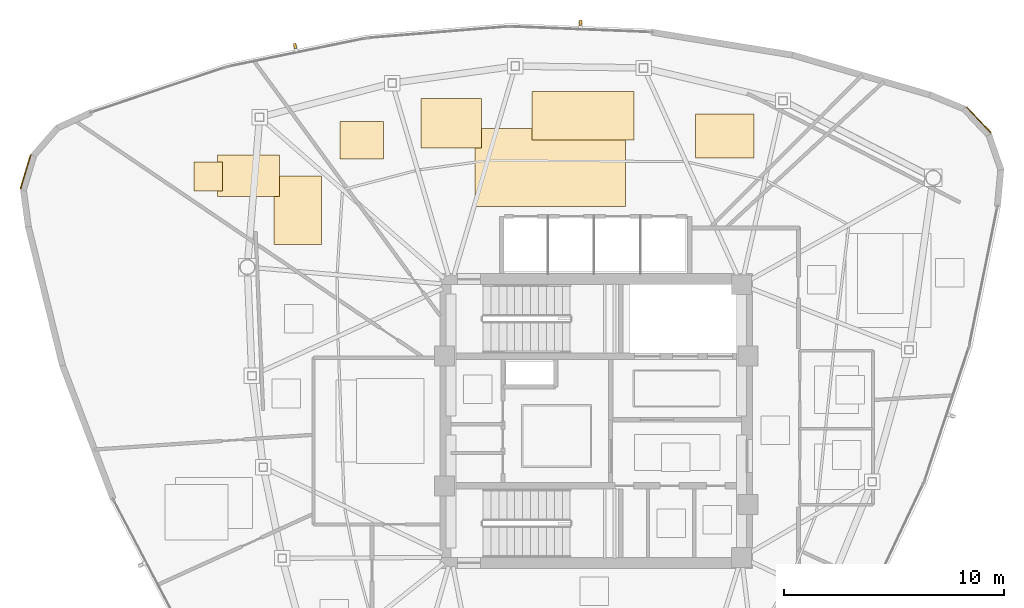
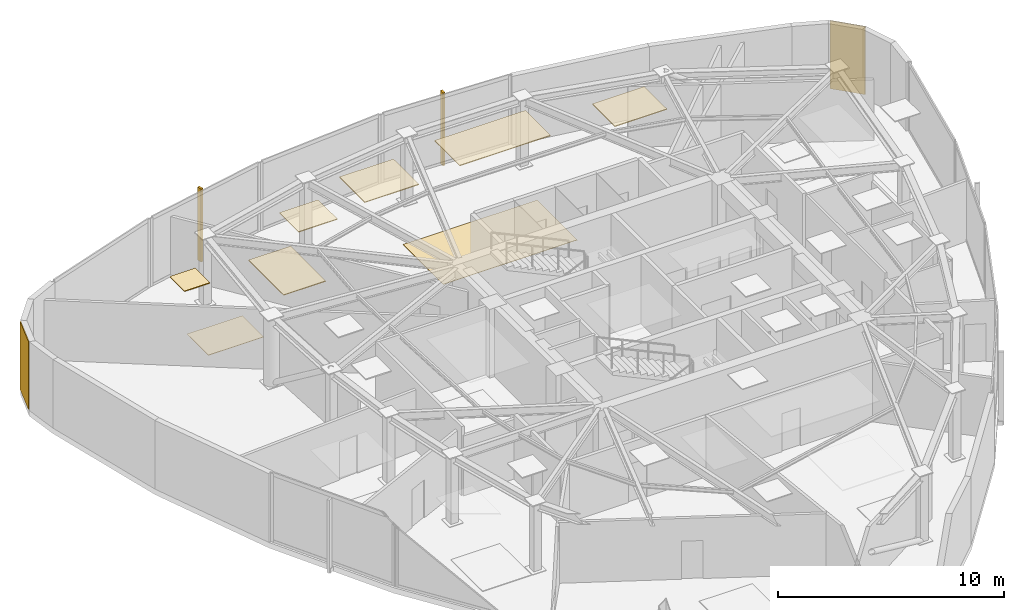
# One storey, part 13 of 13: 10 coverings, 2 shading devices.
"""IFC4 building model written with IfcOpenShell, lengths in metres."""

import ifcopenshell
import ifcopenshell.guid

model = None  # the IFC model being written
_history = None  # IfcOwnerHistory: only IFC2X3 demands one
_inside = {}  # id of a spatial element -> (the spatial element, [elements in it])
_under = {}  # id of a project, library or spatial element -> (it, [spatial elements below it])
_declared = {}  # id of a project -> (the project, [libraries it declares])
_typed = {}  # id of a type object -> (the type object, [elements of that type])
_made_of = {}  # id of a material, layer set ... -> (it, [elements and type objects made of it])


def new_model(schema):
    """Start an empty IFC model of exactly this schema.

    Asked for "IFC4X3", IfcOpenShell would pick the latest addendum, in which some entities
    have other attributes; the version numbers below select the first issue.
    IFC2X3 requires an IfcOwnerHistory on every rooted entity: one is made here for all.
    """
    global model, _history
    if schema == "IFC4X3":
        model = ifcopenshell.file(schema_version=(4, 3, 0, 0))
    else:
        model = ifcopenshell.file(schema=schema)
    _inside.clear()
    _under.clear()
    _declared.clear()
    _typed.clear()
    _made_of.clear()
    _history = None
    if model.schema == "IFC2X3":
        org = make("IfcOrganization", Name="unknown")
        user = make(
            "IfcPersonAndOrganization",
            ThePerson=make("IfcPerson", FamilyName="unknown"),
            TheOrganization=org,
        )
        app = make(
            "IfcApplication",
            ApplicationDeveloper=org,
            Version="unknown",
            ApplicationFullName="unknown",
            ApplicationIdentifier="unknown",
        )
        _history = make(
            "IfcOwnerHistory",
            OwningUser=user,
            OwningApplication=app,
            ChangeAction="ADDED",
            CreationDate=0,
        )
    return model


def make(cls, **values):
    """One entity of the class cls with the attributes given. An attribute that is None is left unset."""
    return model.create_entity(
        cls, **{name: value for name, value in values.items() if value is not None}
    )


def rooted(cls, **values):
    """An entity with a GlobalId (a new one), such as an element, a storey or a relation."""
    return make(cls, GlobalId=ifcopenshell.guid.new(), OwnerHistory=_history, **values)


def si_unit(unit_type, name, prefix=None):
    """IfcSIUnit, for example si_unit("LENGTHUNIT", "METRE", prefix="MILLI")."""
    return make("IfcSIUnit", UnitType=unit_type, Prefix=prefix, Name=name)


def assignment(units):
    """IfcUnitAssignment: the units of a project."""
    return None if units is None else make("IfcUnitAssignment", Units=units)


def point(xyz):
    """IfcCartesianPoint."""
    return None if xyz is None else make("IfcCartesianPoint", Coordinates=xyz)


def direction(xyz):
    """IfcDirection."""
    return None if xyz is None else make("IfcDirection", DirectionRatios=xyz)


def frame(location, z_axis=None, x_axis=None):
    """IfcAxis2Placement3D, a coordinate frame: its origin and axes. An axis left out is left unset."""
    return make(
        "IfcAxis2Placement3D",
        Location=point(location),
        Axis=direction(z_axis),
        RefDirection=direction(x_axis),
    )


def frame_2d(location, x_axis=None):
    """IfcAxis2Placement2D, a coordinate frame in the plane: its origin and x axis."""
    return make(
        "IfcAxis2Placement2D", Location=point(location), RefDirection=direction(x_axis)
    )


def origin():
    """The frame at (0, 0, 0) with its axes left unset."""
    return frame((0.0, 0.0, 0.0))


def origin_2d():
    """The frame at (0, 0) in the plane with its x axis left unset."""
    return frame_2d((0.0, 0.0))


def place(relative_to, where):
    """IfcLocalPlacement: puts the frame where relative to a parent placement (None: the world)."""
    return make(
        "IfcLocalPlacement", PlacementRelTo=relative_to, RelativePlacement=where
    )


def context(
    kind, dimensions, precision=None, world=None, true_north=None, identifier=None
):
    """IfcGeometricRepresentationContext, for example the 3D "Model" context."""
    return make(
        "IfcGeometricRepresentationContext",
        ContextIdentifier=identifier,
        ContextType=kind,
        CoordinateSpaceDimension=dimensions,
        Precision=precision,
        WorldCoordinateSystem=world,
        TrueNorth=true_north,
    )


def subcontext(parent, identifier, kind, view, scale=None):
    """IfcGeometricRepresentationSubContext, for example "Body" below "Model"."""
    return make(
        "IfcGeometricRepresentationSubContext",
        ContextIdentifier=identifier,
        ContextType=kind,
        ParentContext=parent,
        TargetScale=scale,
        TargetView=view,
    )


def project(units=None, contexts=None):
    """IfcProject with its units and contexts."""
    return rooted(
        "IfcProject",
        Name="project",
        RepresentationContexts=contexts,
        UnitsInContext=assignment(units),
    )


def spatial(cls, under=None, at=None, **own):
    """A site, building, storey or space (cls), placed at a placement, below another one or the project."""
    s = rooted(cls, ObjectPlacement=at, **own)
    if under is not None:
        _under.setdefault(under.id(), (under, []))[1].append(s)
    return s


def polyline(points):
    """IfcPolyline through the points."""
    return make("IfcPolyline", Points=[point(p) for p in points])


def profile(cls, at=None, kind="AREA", **sizes):
    """A parametric profile (cls). Its sizes go by their IFC names, for example OverallWidth=200.0."""
    return make(cls, ProfileType=kind, Position=at, **sizes)


def rectangle(**sizes):
    """IfcRectangleProfileDef."""
    return profile("IfcRectangleProfileDef", **sizes)


def outline(outer, holes=None, kind="AREA"):
    """IfcArbitraryClosedProfileDef: a profile drawn as a closed curve; with holes, ...WithVoids."""
    if holes is None:
        return make("IfcArbitraryClosedProfileDef", ProfileType=kind, OuterCurve=outer)
    return make(
        "IfcArbitraryProfileDefWithVoids",
        ProfileType=kind,
        OuterCurve=outer,
        InnerCurves=holes,
    )


def extrude(swept, where, along, depth):
    """IfcExtrudedAreaSolid: the profile swept, set in the frame where, extruded along a direction by depth."""
    return make(
        "IfcExtrudedAreaSolid",
        SweptArea=swept,
        Position=where,
        ExtrudedDirection=direction(along),
        Depth=depth,
    )


def shape(context_of_items, identifier, shape_type, items):
    """IfcShapeRepresentation: the items that make up one representation, for example the "Body"."""
    return make(
        "IfcShapeRepresentation",
        ContextOfItems=context_of_items,
        RepresentationIdentifier=identifier,
        RepresentationType=shape_type,
        Items=items,
    )


def source(mapping_origin, context_of_items, identifier, shape_type, items):
    """IfcRepresentationMap: a shape defined once, which mapped items show again and again."""
    return make(
        "IfcRepresentationMap",
        MappingOrigin=mapping_origin,
        MappedRepresentation=shape(context_of_items, identifier, shape_type, items),
    )


def transform(
    local_origin,
    x_axis=None,
    y_axis=None,
    z_axis=None,
    scale=None,
    scale2=None,
    scale3=None,
    uniform=True,
):
    """IfcCartesianTransformationOperator3D, or its non-uniform kind. x_axis, y_axis, z_axis: its Axis1, 2, 3."""
    if uniform:
        return make(
            "IfcCartesianTransformationOperator3D",
            Axis1=direction(x_axis),
            Axis2=direction(y_axis),
            LocalOrigin=point(local_origin),
            Scale=scale,
            Axis3=direction(z_axis),
        )
    return make(
        "IfcCartesianTransformationOperator3DnonUniform",
        Axis1=direction(x_axis),
        Axis2=direction(y_axis),
        LocalOrigin=point(local_origin),
        Scale=scale,
        Axis3=direction(z_axis),
        Scale2=scale2,
        Scale3=scale3,
    )


def mapped(mapping_source, mapping_target):
    """IfcMappedItem: shows the shape of a source again, moved by a transform."""
    return make(
        "IfcMappedItem", MappingSource=mapping_source, MappingTarget=mapping_target
    )


def material(Name=None, Category=None):
    """IfcMaterial."""
    return make("IfcMaterial", Name=Name, Category=Category)


def layer(
    of_material, thickness, ventilated=None, Name=None, Category=None, Priority=None
):
    """IfcMaterialLayer: one layer of a wall or slab, of a material (None: an air gap)."""
    return make(
        "IfcMaterialLayer",
        Material=of_material,
        LayerThickness=thickness,
        IsVentilated=ventilated,
        Name=Name,
        Category=Category,
        Priority=Priority,
    )


def layer_set(layers, Name=None):
    """IfcMaterialLayerSet."""
    return make("IfcMaterialLayerSet", MaterialLayers=layers, LayerSetName=Name)


def made_of(thing, what):
    """Note that an element or type object is made of a material, layer set ...; save() writes the relation."""
    if what is not None:
        _made_of.setdefault(what.id(), (what, []))[1].append(thing)
    return thing


def type_object(cls, material=None, **own):
    """A type object (cls), such as IfcWallType, which elements share."""
    return made_of(rooted(cls, **own), material)


def type_shapes(of_type, sources):
    """Give a type object the sources (RepresentationMaps) that its elements show as mapped items."""
    of_type.RepresentationMaps = sources


def element(
    cls,
    number,
    at=None,
    inside=None,
    cuts=None,
    type_object=None,
    material=None,
    context=None,
    identifier="Body",
    shape_type=None,
    held_by="IfcProductDefinitionShape",
    body=None,
    shapes=None,
    **own,
):
    """One element of the class cls, such as IfcWall. Its Tag is "e" and its number.

    at: its placement. inside: the storey or other place that contains it. cuts: it is an
    opening in that element (IfcRelVoidsElement). A single representation is given by context,
    identifier, shape_type and body (its items); several are given by shapes. held_by: the class
    of the entity that holds the representations. save() writes the other relations.
    """
    e = rooted(cls, Tag="e%d" % number, ObjectPlacement=at, **own)
    if body is not None:
        shapes = [shape(context, identifier, shape_type, body)]
    if shapes is not None:
        e.Representation = make(held_by, Representations=shapes)
    if inside is not None:
        _inside.setdefault(inside.id(), (inside, []))[1].append(e)
    if cuts is not None:
        rooted(
            "IfcRelVoidsElement", RelatingBuildingElement=cuts, RelatedOpeningElement=e
        )
    if type_object is not None:
        _typed.setdefault(type_object.id(), (type_object, []))[1].append(e)
    return made_of(e, material)


def aggregate(whole, parts):
    """IfcRelAggregates: a whole, such as a stair, and the parts it consists of."""
    return rooted("IfcRelAggregates", RelatingObject=whole, RelatedObjects=parts)


def save(model, path):
    """Write the relations noted so far, then the file.

    IfcRelAggregates (storeys below a building ...), IfcRelContainedInSpatialStructure (elements
    in a storey), IfcRelDefinesByType, IfcRelAssociatesMaterial and IfcRelDeclares: one each for
    every whole, place, type object, material and project.
    """
    for whole, parts in _under.values():
        aggregate(whole, parts)
    for where, things in _inside.values():
        rooted(
            "IfcRelContainedInSpatialStructure",
            RelatedElements=things,
            RelatingStructure=where,
        )
    for kind, things in _typed.values():
        rooted("IfcRelDefinesByType", RelatedObjects=things, RelatingType=kind)
    for what, things in _made_of.values():
        rooted("IfcRelAssociatesMaterial", RelatedObjects=things, RelatingMaterial=what)
    for by, libraries in _declared.values():
        rooted("IfcRelDeclares", RelatingContext=by, RelatedDefinitions=libraries)
    model.write(path)


model = new_model("IFC4")

# Units and contexts
model_context = context("Model", 3, precision=1e-05, world=origin(), true_north=direction((0.0, 1.0)))
body_context = subcontext(model_context, "Body", "Model", "MODEL_VIEW")
ifc_project = project(units=[si_unit("LENGTHUNIT", "METRE"), si_unit("AREAUNIT", "SQUARE_METRE"), si_unit("VOLUMEUNIT", "CUBIC_METRE"), si_unit("PLANEANGLEUNIT", "RADIAN"), si_unit("MASSUNIT", "GRAM", prefix="KILO")], contexts=[model_context])

# Site, building, storey
site_placement = place(None, origin())
site = spatial("IfcSite", under=ifc_project, at=site_placement, CompositionType="ELEMENT")
building_placement = place(site_placement, origin())
building = spatial("IfcBuilding", under=site, at=building_placement, Name="Tavelor Broadcast Tower", CompositionType="ELEMENT")
storey_placement = place(building_placement, frame((0.0, 0.0, 301.5)))
storey = spatial("IfcBuildingStorey", under=building, at=storey_placement, Name="L72", CompositionType="ELEMENT", Elevation=301.5)

# Coverings
ifc_material_1 = material(Name="Copper-Bronze Anodized Aluminium", Category="aluminium")
ifc_layer_1 = layer(ifc_material_1, 0.050048828125)
ifc_layer_set_1 = layer_set([ifc_layer_1], Name="Copper-Bronze Anodized Aluminium")
covering_type_1 = type_object("IfcCoveringType", Name="Champagne-Bronze Corner Pier Metal Cladding 50 mm", PredefinedType="CLADDING", material=ifc_layer_set_1)
for number, where, z_axis, x_axis, name in (
    (1, (24.05224609375, 56.331298828125, 0.02001953125), (0.0, 0.0, 1.0), (-0.286524552728, -0.958072899462, 0.0), "L72 Champagne-Bronze Corner Cladding 03"),
    (2, (67.386962890625, 58.688232421875, 0.02001953125), (0.0, 0.0, 1.0), (-0.686453193248, 0.727173991201, 0.0), "L72 Champagne-Bronze Corner Cladding 23"),
):
    element("IfcCovering", number, at=place(storey_placement, frame(where, z_axis=z_axis, x_axis=x_axis)), inside=storey, type_object=covering_type_1, Name=name, PredefinedType="CLADDING", context=body_context, shape_type="SweptSolid", body=[
        extrude(rectangle(XDim=1.611328125, YDim=0.050048828125, at=origin_2d()), origin(), (0.0, 0.0, 1.0), 3.659912109375),
    ])
ifc_material_2 = material(Name="Acoustic Nylon Carpet Tile")
ifc_layer_2 = layer(ifc_material_2, 0.02001953125)
ifc_layer_set_2 = layer_set([ifc_layer_2], Name="Acoustic Nylon Carpet Tile")
covering_type_2 = type_object("IfcCoveringType", Name="Heavy-Duty Acoustic Broadcast Carpet Tile 20 mm", PredefinedType="FLOORING", material=ifc_layer_set_2)
covering_1_placement = place(storey_placement, origin())
element("IfcCovering", 3, at=covering_1_placement, inside=storey, type_object=covering_type_2, Name="L72 Broadcast Floor Finish 1080", PredefinedType="FLOORING", context=body_context, shape_type="SweptSolid", body=[
    extrude(outline(polyline([(32.77099609375, 55.218017578125), (35.600830078125, 55.218017578125), (35.600830078125, 57.1044921875), (32.77099609375, 57.1044921875), (32.77099609375, 55.218017578125)])), origin(), (0.0, 0.0, 1.0), 0.02001953125),
])
covering_2_placement = place(storey_placement, origin())
element("IfcCovering", 4, at=covering_2_placement, inside=storey, type_object=covering_type_2, Name="L72 Broadcast Floor Finish 1081", PredefinedType="FLOORING", context=body_context, shape_type="SweptSolid", body=[
    extrude(outline(polyline([(44.487060546875, 54.7607421875), (51.327392578125, 54.7607421875), (51.327392578125, 58.30322265625), (44.487060546875, 58.30322265625), (44.487060546875, 54.7607421875)])), origin(), (0.0, 0.0, 1.0), 0.02001953125),
])
ifc_material_3 = material(Name="Acoustic Mineral Fibre Tile")
ifc_layer_3 = layer(ifc_material_3, 0.0400390625)
ifc_layer_set_3 = layer_set([ifc_layer_3], Name="Acoustic Mineral Fibre Tile")
covering_type_3 = type_object("IfcCoveringType", Name="Suspended Acoustic Mineral-Fibre Office Ceiling 40 mm", PredefinedType="CEILING", material=ifc_layer_set_3)
covering_3_placement = place(storey_placement, frame((0.0, 0.0, 3.659912109375)))
element("IfcCovering", 5, at=covering_3_placement, inside=storey, type_object=covering_type_3, Name="L72 Suspended Acoustic Ceiling 2751", PredefinedType="CEILING", context=body_context, shape_type="SweptSolid", body=[
    extrude(outline(polyline([(31.7021484375, 55.46875), (33.002197265625, 55.46875), (33.002197265625, 56.768798828125), (31.7021484375, 56.768798828125), (31.7021484375, 55.46875)])), origin(), (0.0, 0.0, 1.0), 0.0400390625),
])
covering_4_placement = place(storey_placement, frame((0.0, 0.0, 3.659912109375)))
element("IfcCovering", 6, at=covering_4_placement, inside=storey, type_object=covering_type_3, Name="L72 Suspended Acoustic Ceiling 2752", PredefinedType="CEILING", context=body_context, shape_type="SweptSolid", body=[
    extrude(outline(polyline([(35.3466796875, 53.028564453125), (37.49853515625, 53.028564453125), (37.49853515625, 56.131103515625), (35.3466796875, 56.131103515625), (35.3466796875, 53.028564453125)])), origin(), (0.0, 0.0, 1.0), 0.0400390625),
])
covering_5_placement = place(storey_placement, frame((0.0, 0.0, 3.659912109375)))
element("IfcCovering", 7, at=covering_5_placement, inside=storey, type_object=covering_type_3, Name="L72 Suspended Acoustic Ceiling 2753", PredefinedType="CEILING", context=body_context, shape_type="SweptSolid", body=[
    extrude(outline(polyline([(54.51318359375, 56.962158203125), (57.16796875, 56.962158203125), (57.16796875, 58.954345703125), (54.51318359375, 58.954345703125), (54.51318359375, 56.962158203125)])), origin(), (0.0, 0.0, 1.0), 0.0400390625),
])
covering_6_placement = place(storey_placement, frame((0.0, 0.0, 3.659912109375)))
element("IfcCovering", 8, at=covering_6_placement, inside=storey, type_object=covering_type_3, Name="L72 Suspended Acoustic Ceiling 2754", PredefinedType="CEILING", context=body_context, shape_type="SweptSolid", body=[
    extrude(outline(polyline([(38.354736328125, 56.906494140625), (40.330078125, 56.906494140625), (40.330078125, 58.609130859375), (38.354736328125, 58.609130859375), (38.354736328125, 56.906494140625)])), origin(), (0.0, 0.0, 1.0), 0.0400390625),
])
covering_7_placement = place(storey_placement, frame((0.0, 0.0, 3.659912109375)))
element("IfcCovering", 9, at=covering_7_placement, inside=storey, type_object=covering_type_3, Name="L72 Suspended Acoustic Ceiling 2755", PredefinedType="CEILING", context=body_context, shape_type="SweptSolid", body=[
    extrude(outline(polyline([(42.02392578125, 57.420166015625), (44.780517578125, 57.420166015625), (44.780517578125, 59.66748046875), (42.02392578125, 59.66748046875), (42.02392578125, 57.420166015625)])), origin(), (0.0, 0.0, 1.0), 0.0400390625),
])
covering_8_placement = place(storey_placement, frame((0.0, 0.0, 3.659912109375)))
element("IfcCovering", 10, at=covering_8_placement, inside=storey, type_object=covering_type_3, Name="L72 Suspended Acoustic Ceiling 2756", PredefinedType="CEILING", context=body_context, shape_type="SweptSolid", body=[
    extrude(outline(polyline([(47.069580078125, 57.77392578125), (51.702880859375, 57.77392578125), (51.702880859375, 59.9912109375), (47.069580078125, 59.9912109375), (47.069580078125, 57.77392578125)])), origin(), (0.0, 0.0, 1.0), 0.0400390625),
])

# Shading devices
ifc_material_4 = material(Name="Kiln-Fired Glazed Terracotta", Category="masonry")
shading_device_type = type_object("IfcShadingDeviceType", Name="Extruded Terracotta Baguette Sun-Screen 110x240", PredefinedType="JALOUSIE", material=ifc_material_4)
shared_shape = source(origin(), body_context, "Body", "SweptSolid", [
    extrude(rectangle(XDim=0.110107421875, YDim=0.239990234375, at=origin_2d()), origin(), (0.0, 0.0, 1.0), 3.93994140625),
])
type_shapes(shading_device_type, [shared_shape])
for number, where, z_axis, x_axis, name in (
    (11, (49.2822265625, 63.109619140625, -0.260009765625), (0.0, 0.0, 1.0), (-0.999208342878, 0.039783005453, 0.0), "L72 Terracotta Baguette Fin 707"),
    (12, (36.306396484375, 62.04833984375, -0.260009765625), (0.0, 0.0, 1.0), (-0.979469831173, -0.20159079796, 0.0), "L72 Terracotta Baguette Fin 708"),
):
    element("IfcShadingDevice", number, at=place(storey_placement, frame(where, z_axis=z_axis, x_axis=x_axis)), inside=storey, type_object=shading_device_type, Name=name, PredefinedType="JALOUSIE", context=body_context, shape_type="MappedRepresentation", body=[
        mapped(shared_shape, transform((0.0, 0.0, 0.0), scale=1.0)),
    ])

save(model, "model.ifc")
